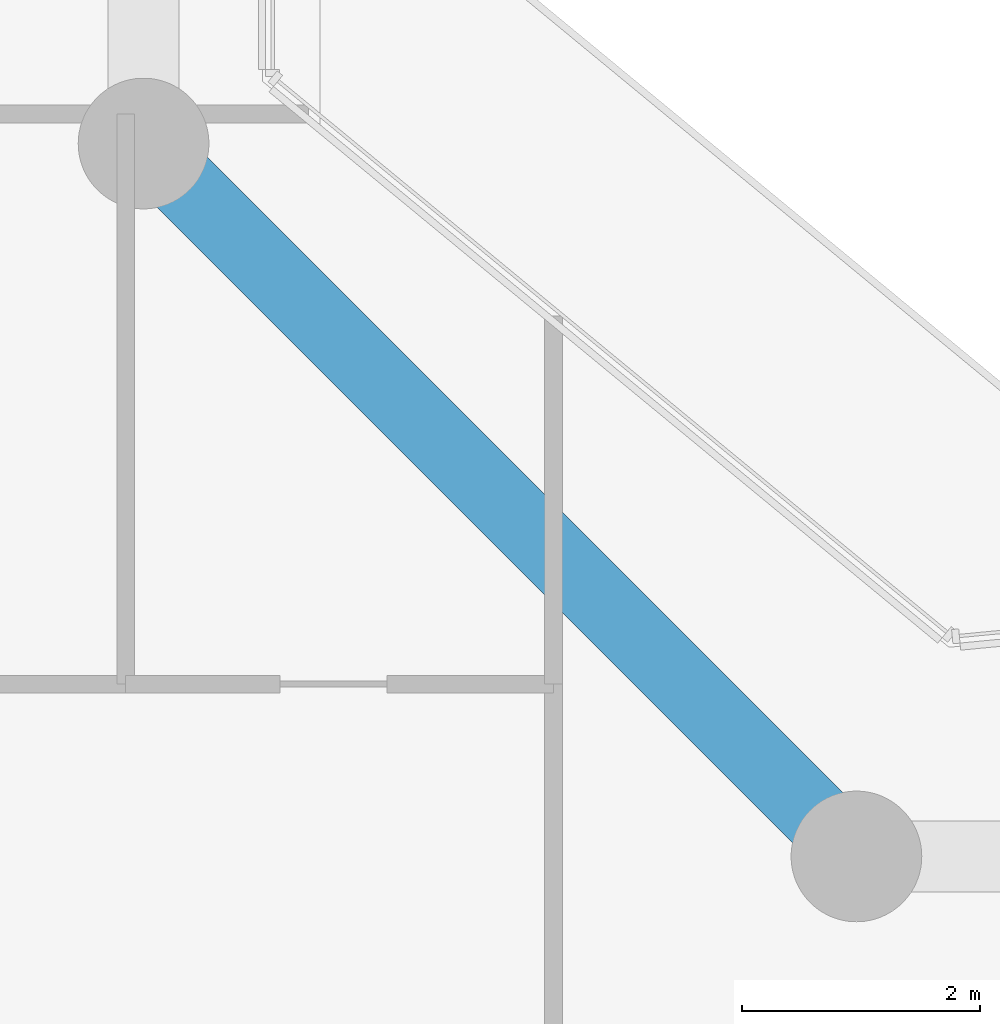
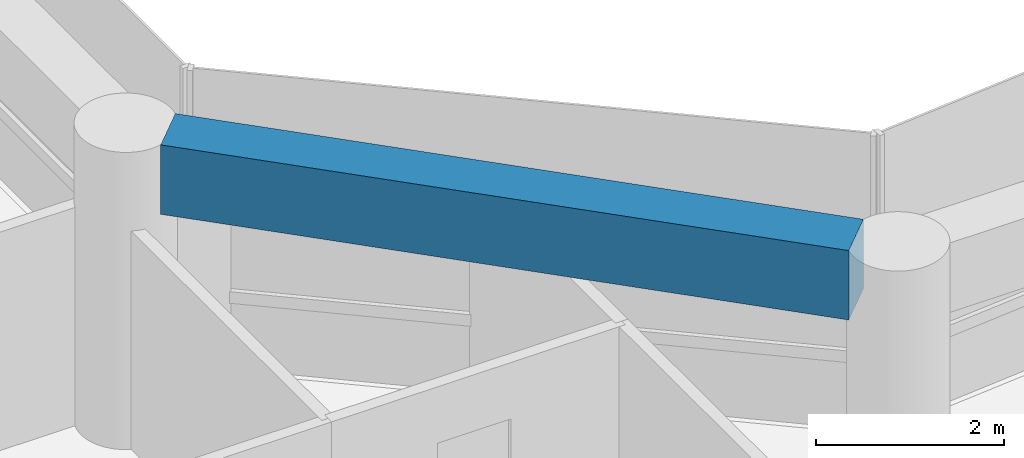
# One storey, part 5 of 28: 1 beam.
"""IFC4 building model written with IfcOpenShell, lengths in metres."""

from ifc_helpers import new_model, si_unit, direction, frame, origin, origin_2d, place, context, subcontext, project, spatial, rectangle, extrude, material, material_profile, profile_set, type_object, element, save


model = new_model("IFC4")

# Units and contexts
model_context = context("Model", 3, precision=1e-05, world=origin(), true_north=direction((0.0, 1.0)))
body_context = subcontext(model_context, "Body", "Model", "MODEL_VIEW")
ifc_project = project(units=[si_unit("LENGTHUNIT", "METRE"), si_unit("AREAUNIT", "SQUARE_METRE"), si_unit("VOLUMEUNIT", "CUBIC_METRE"), si_unit("PLANEANGLEUNIT", "RADIAN"), si_unit("MASSUNIT", "GRAM", prefix="KILO")], contexts=[model_context])

# Site, building, storey
site_placement = place(None, origin())
site = spatial("IfcSite", under=ifc_project, at=site_placement, CompositionType="ELEMENT")
building_placement = place(site_placement, origin())
building = spatial("IfcBuilding", under=site, at=building_placement, Name="Welwitschia Terrace Campus", CompositionType="ELEMENT")
storey_placement = place(building_placement, frame((0.0, 0.0, 87.800048828125)))
storey = spatial("IfcBuildingStorey", under=building, at=storey_placement, Name="L19", CompositionType="ELEMENT", Elevation=87.800048828125)

# Beam
ifc_material = material(Name="Concrete C60/75", Category="concrete")
ifc_material_profile = material_profile(ifc_material, rectangle(XDim=0.60009765625, YDim=0.89990234375, at=origin_2d()))
ifc_profile_set = profile_set([ifc_material_profile], Name="Concrete C60/75")
beam_type = type_object("IfcBeamType", Name="Ring spandrel 600x900", PredefinedType="SPANDREL", material=ifc_profile_set)
beam_placement = place(storey_placement, frame((29.673583984375, 28.326416015625, 3.39990234375), z_axis=(-0.707106781187, 0.707106781187, 0.0), x_axis=(-0.707106781187, -0.707106781187, 0.0)))
element("IfcBeam", 1, at=beam_placement, inside=storey, type_object=beam_type, Name="Spandrel SP2", PredefinedType="SPANDREL", context=body_context, shape_type="SweptSolid", body=[
    extrude(rectangle(XDim=0.60009765625, YDim=0.89990234375, at=origin_2d()), origin(), (0.0, 0.0, 1.0), 7.56201171875),
])

save(model, "model.ifc")
